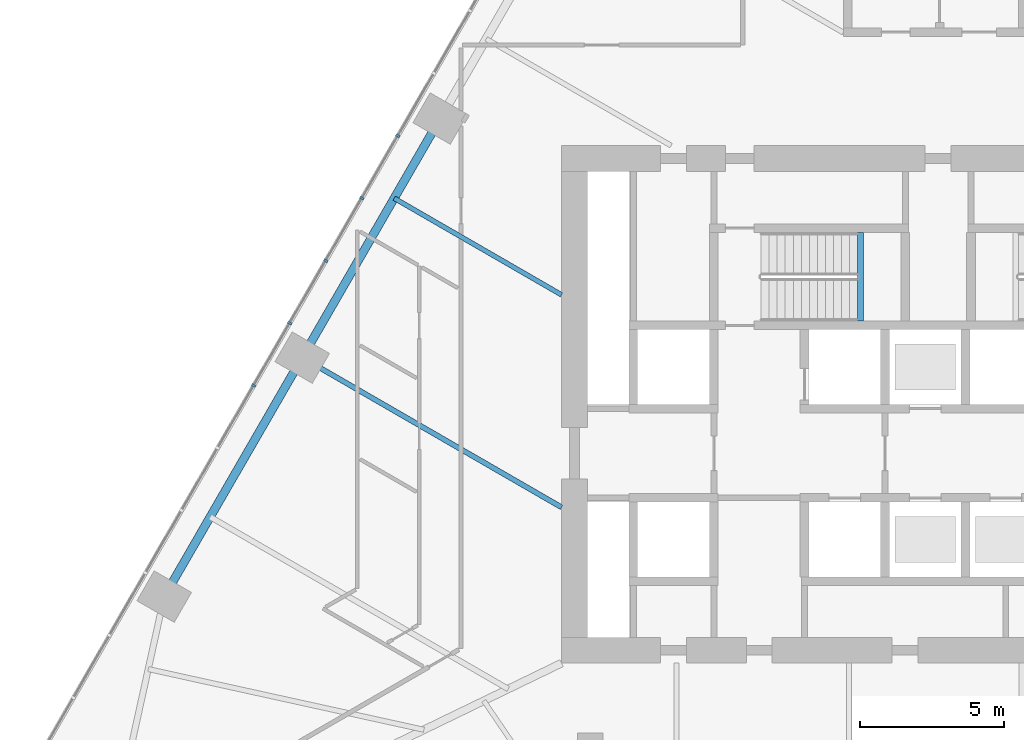
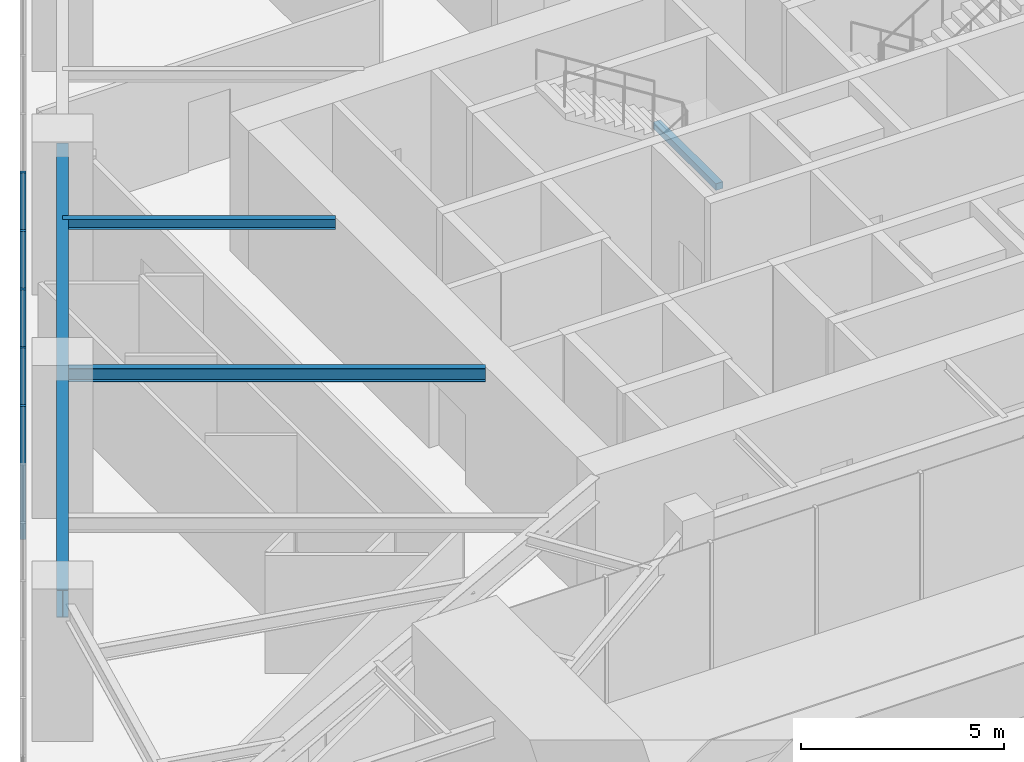
# One storey, part 3 of 23: 5 members, 4 beams, 1 element without a shape of its own.
"""IFC4 building model written with IfcOpenShell, lengths in metres."""

from ifc_helpers import new_model, si_unit, direction, frame, origin, origin_2d, place, context, subcontext, project, spatial, rectangle, i_section, extrude, material, layer, layer_set, material_profile, profile_set, type_object, element, aggregate, save


model = new_model("IFC4")

# Units and contexts
model_context = context("Model", 3, precision=1e-05, world=origin(), true_north=direction((0.0, 1.0)))
body_context = subcontext(model_context, "Body", "Model", "MODEL_VIEW")
ifc_project = project(units=[si_unit("LENGTHUNIT", "METRE"), si_unit("AREAUNIT", "SQUARE_METRE"), si_unit("VOLUMEUNIT", "CUBIC_METRE"), si_unit("PLANEANGLEUNIT", "RADIAN"), si_unit("MASSUNIT", "GRAM", prefix="KILO")], contexts=[model_context])

# Site, building, storey
site_placement = place(None, origin())
site = spatial("IfcSite", under=ifc_project, at=site_placement, CompositionType="ELEMENT")
building_placement = place(site_placement, origin())
building = spatial("IfcBuilding", under=site, at=building_placement, Name="Firuza Gate Tower and Library", CompositionType="ELEMENT")
storey_placement = place(building_placement, frame((0.0, 0.0, 26.39990234375)))
storey = spatial("IfcBuildingStorey", under=building, at=storey_placement, Name="L05", CompositionType="ELEMENT", Elevation=26.39990234375)

# Curtain wall, members
ifc_material_1 = material(Name="Aluminium 6063-T6", Category="aluminium")
ifc_layer = layer(ifc_material_1, 0.14990234375)
ifc_layer_set = layer_set([ifc_layer], Name="Stick curtain wall, podium")
curtain_wall_type = type_object("IfcCurtainWallType", Name="Stick curtain wall, podium", PredefinedType="NOTDEFINED", material=ifc_layer_set)
curtain_wall_placement = place(storey_placement, origin())
curtain_wall = element("IfcCurtainWall", 1, at=curtain_wall_placement, inside=storey, type_object=curtain_wall_type, Name="CW5 L05 W", PredefinedType="NOTDEFINED")
ifc_material_2 = material(Name="Aluminium 6063-T6", Category="aluminium")
ifc_material_profile_1 = material_profile(ifc_material_2, rectangle(XDim=0.14990234375, YDim=0.080078125, at=origin_2d()))
ifc_profile_set_1 = profile_set([ifc_material_profile_1], Name="Aluminium 6063-T6")
member_type = type_object("IfcMemberType", Name="Curtain wall mullion 80x150", PredefinedType="MULLION", material=ifc_profile_set_1)
member_1_placement = place(storey_placement, frame((56.30810546875, 84.34375, 0.150146484375), z_axis=(0.0, 0.0, 1.0), x_axis=(0.866025403784, -0.5, 0.0)))
member_1 = element("IfcMember", 2, at=member_1_placement, type_object=member_type, Name="Mullion", PredefinedType="MULLION", context=body_context, shape_type="SweptSolid", body=[
    extrude(rectangle(XDim=0.14990234375, YDim=0.080078125, at=origin_2d()), origin(), (0.0, 0.0, 1.0), 4.0),
])
member_2_placement = place(storey_placement, frame((55.053955078125, 82.171630859375, 0.150146484375), z_axis=(0.0, 0.0, 1.0), x_axis=(0.866025403784, -0.5, 0.0)))
member_2 = element("IfcMember", 3, at=member_2_placement, type_object=member_type, Name="Mullion", PredefinedType="MULLION", context=body_context, shape_type="SweptSolid", body=[
    extrude(rectangle(XDim=0.14990234375, YDim=0.080078125, at=origin_2d()), origin(), (0.0, 0.0, 1.0), 4.0),
])
member_3_placement = place(storey_placement, frame((53.7998046875, 79.99951171875, 0.150146484375), z_axis=(0.0, 0.0, 1.0), x_axis=(0.866025403784, -0.5, 0.0)))
member_3 = element("IfcMember", 4, at=member_3_placement, type_object=member_type, Name="Mullion", PredefinedType="MULLION", context=body_context, shape_type="SweptSolid", body=[
    extrude(rectangle(XDim=0.14990234375, YDim=0.080078125, at=origin_2d()), origin(), (0.0, 0.0, 1.0), 4.0),
])
member_4_placement = place(storey_placement, frame((52.5458984375, 77.827392578125, 0.150146484375), z_axis=(0.0, 0.0, 1.0), x_axis=(0.866025403784, -0.5, 0.0)))
member_4 = element("IfcMember", 5, at=member_4_placement, type_object=member_type, Name="Mullion", PredefinedType="MULLION", context=body_context, shape_type="SweptSolid", body=[
    extrude(rectangle(XDim=0.14990234375, YDim=0.080078125, at=origin_2d()), origin(), (0.0, 0.0, 1.0), 4.0),
])
member_5_placement = place(storey_placement, frame((51.291748046875, 75.655517578125, 0.150146484375), z_axis=(0.0, 0.0, 1.0), x_axis=(0.866025403784, -0.5, 0.0)))
member_5 = element("IfcMember", 6, at=member_5_placement, type_object=member_type, Name="Mullion", PredefinedType="MULLION", context=body_context, shape_type="SweptSolid", body=[
    extrude(rectangle(XDim=0.14990234375, YDim=0.080078125, at=origin_2d()), origin(), (0.0, 0.0, 1.0), 4.0),
])
aggregate(curtain_wall, [member_1, member_2, member_3, member_4, member_5])

# Beams
ifc_material_3 = material(Name="Concrete C35/45", Category="concrete")
ifc_material_profile_2 = material_profile(ifc_material_3, rectangle(XDim=0.199951171875, YDim=0.199951171875, at=origin_2d()))
ifc_profile_set_2 = profile_set([ifc_material_profile_2], Name="Concrete C35/45")
beam_type_1 = type_object("IfcBeamType", Name="Stair landing bearer 200x200", PredefinedType="BEAM", material=ifc_profile_set_2)
beam_1_placement = place(storey_placement, frame((72.39990234375, 77.89990234375, 2.0), z_axis=(0.0, 1.0, 0.0), x_axis=(-1.0, 0.0, 0.0)))
element("IfcBeam", 7, at=beam_1_placement, inside=storey, type_object=beam_type_1, Name="Landing bearer L05 stair 1", PredefinedType="BEAM", context=body_context, shape_type="SweptSolid", body=[
    extrude(rectangle(XDim=0.199951171875, YDim=0.199951171875, at=origin_2d()), origin(), (0.0, 0.0, 1.0), 3.080078125),
])
ifc_material_4 = material(Name="Steel S355", Category="steel")
ifc_material_profile_3 = material_profile(ifc_material_4, i_section(OverallWidth=0.1650390625, OverallDepth=0.31005859375, WebThickness=0.005859375, FlangeThickness=0.009765625, at=origin_2d()))
ifc_profile_set_3 = profile_set([ifc_material_profile_3], Name="Steel S355")
beam_type_2 = type_object("IfcBeamType", Name="W310x39 Floor beam", PredefinedType="JOIST", material=ifc_profile_set_3)
beam_2_placement = place(storey_placement, frame((56.179443359375, 82.171142578125, 3.9951171875), z_axis=(0.866019234261, -0.500010685776, 0.0), x_axis=(0.500010685776, 0.866019234261, 0.0)))
element("IfcBeam", 8, at=beam_2_placement, inside=storey, type_object=beam_type_2, Name="Floor beam L05 s103", PredefinedType="JOIST", context=body_context, shape_type="SweptSolid", body=[
    extrude(i_section(OverallWidth=0.1650390625, OverallDepth=0.31005859375, WebThickness=0.005859375, FlangeThickness=0.009765625, at=origin_2d()), origin(), (0.0, 0.0, 1.0), 6.720947265625),
])
ifc_material_5 = material(Name="Steel S355", Category="steel")
ifc_material_profile_4 = material_profile(ifc_material_5, i_section(OverallWidth=0.177978515625, OverallDepth=0.406982421875, WebThickness=0.0078125, FlangeThickness=0.0126953125, at=origin_2d()))
ifc_profile_set_4 = profile_set([ifc_material_profile_4], Name="Steel S355")
beam_type_3 = type_object("IfcBeamType", Name="W410x60 Floor beam", PredefinedType="JOIST", material=ifc_profile_set_4)
beam_3_placement = place(storey_placement, frame((52.9794921875, 76.62841796875, 3.946533203125), z_axis=(0.866024771944, -0.500001094379, 0.0), x_axis=(0.500001094379, 0.866024771944, 0.0)))
element("IfcBeam", 9, at=beam_3_placement, inside=storey, type_object=beam_type_3, Name="Floor beam L05 s104", PredefinedType="JOIST", context=body_context, shape_type="SweptSolid", body=[
    extrude(i_section(OverallWidth=0.177978515625, OverallDepth=0.406982421875, WebThickness=0.0078125, FlangeThickness=0.0126953125, at=origin_2d()), origin(), (0.0, 0.0, 1.0), 10.416015625),
])
ifc_material_6 = material(Name="Steel S355", Category="steel")
ifc_material_profile_5 = material_profile(ifc_material_6, i_section(OverallWidth=0.2919921875, OverallDepth=0.8349609375, WebThickness=0.013916015625, FlangeThickness=0.018798828125, at=origin_2d()))
ifc_profile_set_5 = profile_set([ifc_material_profile_5], Name="Steel S355")
beam_type_4 = type_object("IfcBeamType", Name="W840x176 Edge beam", PredefinedType="SPANDREL", material=ifc_profile_set_5)
beam_4_placement = place(storey_placement, frame((57.779541015625, 84.9423828125, 3.732666015625), z_axis=(-0.500003864429, -0.866023172644, 0.0), x_axis=(0.866023172644, -0.500003864429, 0.0)))
element("IfcBeam", 10, at=beam_4_placement, inside=storey, type_object=beam_type_4, Name="Edge beam L05 e102", PredefinedType="SPANDREL", context=body_context, shape_type="SweptSolid", body=[
    extrude(i_section(OverallWidth=0.2919921875, OverallDepth=0.8349609375, WebThickness=0.013916015625, FlangeThickness=0.018798828125, at=origin_2d()), origin(), (0.0, 0.0, 1.0), 19.199951171875),
])

save(model, "model.ifc")
